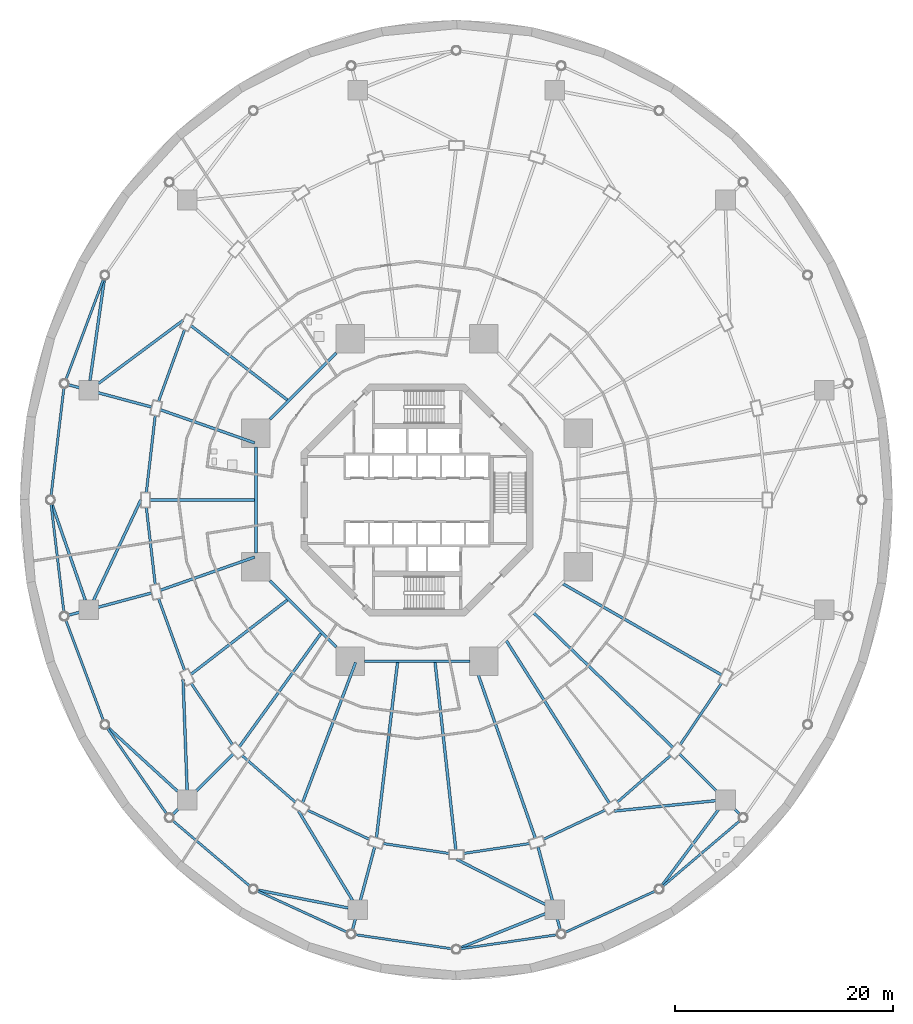
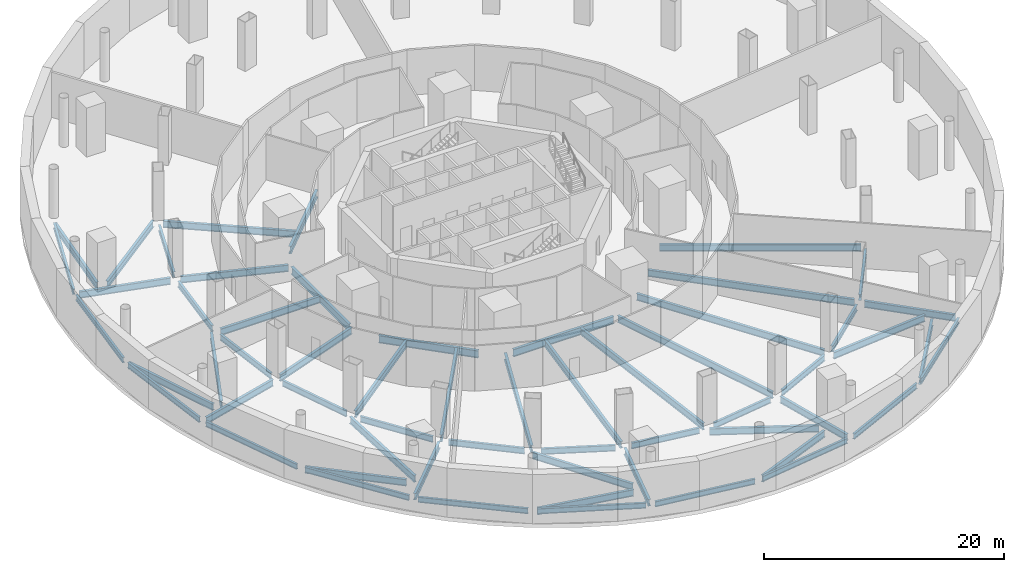
# One storey, part 3 of 14: 58 beams.
"""IFC4 building model written with IfcOpenShell, lengths in metres."""

from ifc_helpers import new_model, si_unit, direction, frame, origin, origin_2d, place, context, subcontext, project, spatial, i_section, extrude, material, material_profile, profile_set, type_object, element, save


model = new_model("IFC4")

# Units and contexts
model_context = context("Model", 3, precision=1e-05, world=origin(), true_north=direction((0.0, 1.0)))
body_context = subcontext(model_context, "Body", "Model", "MODEL_VIEW")
ifc_project = project(units=[si_unit("LENGTHUNIT", "METRE"), si_unit("AREAUNIT", "SQUARE_METRE"), si_unit("VOLUMEUNIT", "CUBIC_METRE"), si_unit("PLANEANGLEUNIT", "RADIAN"), si_unit("MASSUNIT", "GRAM", prefix="KILO")], contexts=[model_context])

# Site, building, storey
site_placement = place(None, origin())
site = spatial("IfcSite", under=ifc_project, at=site_placement, CompositionType="ELEMENT")
building_placement = place(site_placement, origin())
building = spatial("IfcBuilding", under=site, at=building_placement, Name="Nagisa Residences", CompositionType="ELEMENT")
storey_placement = place(building_placement, frame((0.0, 0.0, -5.0)))
storey = spatial("IfcBuildingStorey", under=building, at=storey_placement, Name="B1", CompositionType="ELEMENT", Elevation=-5.0)

# Beams
ifc_material_1 = material(Name="Steel ASTM A572 Gr 50", Category="steel")
ifc_material_profile_1 = material_profile(ifc_material_1, i_section(OverallWidth=0.2529296875, OverallDepth=0.677978515625, WebThickness=0.01171875, FlangeThickness=0.016357421875, at=origin_2d()), Name="W690x125")
ifc_profile_set_1 = profile_set([ifc_material_profile_1], Name="Steel ASTM A572 Gr 50")
beam_type_1 = type_object("IfcBeamType", Name="Atrium outer beam W690x125", PredefinedType="BEAM", material=ifc_profile_set_1)
beam_1_placement = place(storey_placement, frame((-21.45458984375, 16.46533203125, -0.739013671875), z_axis=(-0.801830772461, -0.597551179678, 0.0), x_axis=(0.597551179678, -0.801830772461, 0.0)))
element("IfcBeam", 1, at=beam_1_placement, inside=storey, type_object=beam_type_1, Name="beam:B1:er11a", PredefinedType="BEAM", context=body_context, shape_type="SweptSolid", body=[
    extrude(i_section(OverallWidth=0.2529296875, OverallDepth=0.677978515625, WebThickness=0.01171875, FlangeThickness=0.016357421875, at=origin_2d()), origin(), (0.0, 0.0, 1.0), 9.693603515625),
])
beam_2_placement = place(storey_placement, frame((-29.98583984375, 10.9482421875, -0.739013671875), z_axis=(0.140508564178, 0.990079463171, 0.0), x_axis=(-0.990079463171, 0.140508564178, 0.0)))
element("IfcBeam", 2, at=beam_2_placement, inside=storey, type_object=beam_type_1, Name="beam:B1:er11b", PredefinedType="BEAM", context=body_context, shape_type="SweptSolid", body=[
    extrude(i_section(OverallWidth=0.2529296875, OverallDepth=0.677978515625, WebThickness=0.01171875, FlangeThickness=0.016357421875, at=origin_2d()), origin(), (0.0, 0.0, 1.0), 9.36181640625),
])
beam_3_placement = place(storey_placement, frame((-24.344482421875, 8.52294921875, -0.739013671875), z_axis=(-0.965928422324, 0.258809356376, 0.0), x_axis=(-0.258809356376, -0.965928422324, 0.0)))
element("IfcBeam", 3, at=beam_3_placement, inside=storey, type_object=beam_type_1, Name="beam:B1:er12", PredefinedType="BEAM", context=body_context, shape_type="SweptSolid", body=[
    extrude(i_section(OverallWidth=0.2529296875, OverallDepth=0.677978515625, WebThickness=0.01171875, FlangeThickness=0.016357421875, at=origin_2d()), origin(), (0.0, 0.0, 1.0), 7.88330078125),
])
beam_4_placement = place(storey_placement, frame((-25.330078125, 0.0, -0.739013671875), z_axis=(-0.425917471077, -0.904762017235, 0.0), x_axis=(0.904762017235, -0.425917471077, 0.0)))
element("IfcBeam", 4, at=beam_4_placement, inside=storey, type_object=beam_type_1, Name="beam:B1:er13a", PredefinedType="BEAM", context=body_context, shape_type="SweptSolid", body=[
    extrude(i_section(OverallWidth=0.2529296875, OverallDepth=0.677978515625, WebThickness=0.01171875, FlangeThickness=0.016357421875, at=origin_2d()), origin(), (0.0, 0.0, 1.0), 10.15283203125),
])
beam_5_placement = place(storey_placement, frame((-30.416259765625, -9.18701171875, -0.739013671875), z_axis=(-0.327439256124, 0.944872231336, 0.0), x_axis=(-0.944872231336, -0.327439256124, 0.0)))
element("IfcBeam", 5, at=beam_5_placement, inside=storey, type_object=beam_type_1, Name="beam:B1:er13b", PredefinedType="BEAM", context=body_context, shape_type="SweptSolid", body=[
    extrude(i_section(OverallWidth=0.2529296875, OverallDepth=0.677978515625, WebThickness=0.01171875, FlangeThickness=0.016357421875, at=origin_2d()), origin(), (0.0, 0.0, 1.0), 9.33642578125),
])
beam_6_placement = place(storey_placement, frame((-24.344482421875, -8.52294921875, -0.739013671875), z_axis=(-0.965928422324, -0.258809356376, 0.0), x_axis=(0.258809356376, -0.965928422324, 0.0)))
element("IfcBeam", 6, at=beam_6_placement, inside=storey, type_object=beam_type_1, Name="beam:B1:er14", PredefinedType="BEAM", context=body_context, shape_type="SweptSolid", body=[
    extrude(i_section(OverallWidth=0.2529296875, OverallDepth=0.677978515625, WebThickness=0.01171875, FlangeThickness=0.016357421875, at=origin_2d()), origin(), (0.0, 0.0, 1.0), 7.88330078125),
])
beam_7_placement = place(storey_placement, frame((-21.45458984375, -16.46533203125, -0.739013671875), z_axis=(0.037000115753, -0.999315261284, 0.0), x_axis=(0.999315261284, 0.037000115753, 0.0)))
element("IfcBeam", 7, at=beam_7_placement, inside=storey, type_object=beam_type_1, Name="beam:B1:er15a", PredefinedType="BEAM", context=body_context, shape_type="SweptSolid", body=[
    extrude(i_section(OverallWidth=0.2529296875, OverallDepth=0.677978515625, WebThickness=0.01171875, FlangeThickness=0.016357421875, at=origin_2d()), origin(), (0.0, 0.0, 1.0), 10.168212890625),
])
beam_8_placement = place(storey_placement, frame((-21.96337890625, -26.6953125, -0.739013671875), z_axis=(-0.737316053277, 0.675547953576, 0.0), x_axis=(-0.675547953576, -0.737316053277, 0.0)))
element("IfcBeam", 8, at=beam_8_placement, inside=storey, type_object=beam_type_1, Name="beam:B1:er15b", PredefinedType="BEAM", context=body_context, shape_type="SweptSolid", body=[
    extrude(i_section(OverallWidth=0.2529296875, OverallDepth=0.677978515625, WebThickness=0.01171875, FlangeThickness=0.016357421875, at=origin_2d()), origin(), (0.0, 0.0, 1.0), 8.63623046875),
])
beam_9_placement = place(storey_placement, frame((-16.857177734375, -23.28564453125, -0.739013671875), z_axis=(-0.707106781187, -0.707106781187, 0.0), x_axis=(0.707106781187, -0.707106781187, 0.0)))
element("IfcBeam", 9, at=beam_9_placement, inside=storey, type_object=beam_type_1, Name="beam:B1:er16", PredefinedType="BEAM", context=body_context, shape_type="SweptSolid", body=[
    extrude(i_section(OverallWidth=0.2529296875, OverallDepth=0.677978515625, WebThickness=0.01171875, FlangeThickness=0.016357421875, at=origin_2d()), origin(), (0.0, 0.0, 1.0), 7.8828125),
])
beam_10_placement = place(storey_placement, frame((-10.865478515625, -28.518798828125, -0.739013671875), z_axis=(0.517608225474, -0.855617744628, 0.0), x_axis=(0.855617744628, 0.517608225474, 0.0)))
element("IfcBeam", 10, at=beam_10_placement, inside=storey, type_object=beam_type_1, Name="beam:B1:er17a", PredefinedType="BEAM", context=body_context, shape_type="SweptSolid", body=[
    extrude(i_section(OverallWidth=0.2529296875, OverallDepth=0.677978515625, WebThickness=0.01171875, FlangeThickness=0.016357421875, at=origin_2d()), origin(), (0.0, 0.0, 1.0), 9.55224609375),
])
beam_11_placement = place(storey_placement, frame((-6.313232421875, -37.400146484375, -0.739013671875), z_axis=(-0.980959139789, 0.194214227247, 0.0), x_axis=(-0.194214227247, -0.980959139789, 0.0)))
element("IfcBeam", 11, at=beam_11_placement, inside=storey, type_object=beam_type_1, Name="beam:B1:er17b", PredefinedType="BEAM", context=body_context, shape_type="SweptSolid", body=[
    extrude(i_section(OverallWidth=0.2529296875, OverallDepth=0.677978515625, WebThickness=0.01171875, FlangeThickness=0.016357421875, at=origin_2d()), origin(), (0.0, 0.0, 1.0), 8.46875),
])
beam_12_placement = place(storey_placement, frame((-3.8876953125, -31.80810546875, -0.739013671875), z_axis=(-0.258809356376, -0.965928422324, 0.0), x_axis=(0.965928422324, -0.258809356376, 0.0)))
element("IfcBeam", 12, at=beam_12_placement, inside=storey, type_object=beam_type_1, Name="beam:B1:er18", PredefinedType="BEAM", context=body_context, shape_type="SweptSolid", body=[
    extrude(i_section(OverallWidth=0.2529296875, OverallDepth=0.677978515625, WebThickness=0.01171875, FlangeThickness=0.016357421875, at=origin_2d()), origin(), (0.0, 0.0, 1.0), 7.88330078125),
])
beam_13_placement = place(storey_placement, frame((3.60009765625, -32.929931640625, -0.739013671875), z_axis=(0.891184504859, -0.453641023607, 0.0), x_axis=(0.453641023607, 0.891184504859, 0.0)))
element("IfcBeam", 13, at=beam_13_placement, inside=storey, type_object=beam_type_1, Name="beam:B1:er19a", PredefinedType="BEAM", context=body_context, shape_type="SweptSolid", body=[
    extrude(i_section(OverallWidth=0.2529296875, OverallDepth=0.677978515625, WebThickness=0.01171875, FlangeThickness=0.016357421875, at=origin_2d()), origin(), (0.0, 0.0, 1.0), 9.145263671875),
])
beam_14_placement = place(storey_placement, frame((11.75146484375, -37.92822265625, -0.739013671875), z_axis=(-0.928030882423, -0.372503263435, 0.0), x_axis=(0.372503263435, -0.928030882423, 0.0)))
element("IfcBeam", 14, at=beam_14_placement, inside=storey, type_object=beam_type_1, Name="beam:B1:er19b", PredefinedType="BEAM", context=body_context, shape_type="SweptSolid", body=[
    extrude(i_section(OverallWidth=0.2529296875, OverallDepth=0.677978515625, WebThickness=0.01171875, FlangeThickness=0.016357421875, at=origin_2d()), origin(), (0.0, 0.0, 1.0), 8.39697265625),
])
beam_15_placement = place(storey_placement, frame((11.087646484375, -31.80810546875, -0.739013671875), z_axis=(0.258809356376, -0.965928422324, 0.0), x_axis=(0.965928422324, 0.258809356376, 0.0)))
element("IfcBeam", 15, at=beam_15_placement, inside=storey, type_object=beam_type_1, Name="beam:B1:er20", PredefinedType="BEAM", context=body_context, shape_type="SweptSolid", body=[
    extrude(i_section(OverallWidth=0.2529296875, OverallDepth=0.677978515625, WebThickness=0.01171875, FlangeThickness=0.016357421875, at=origin_2d()), origin(), (0.0, 0.0, 1.0), 7.88330078125),
])
beam_16_placement = place(storey_placement, frame((18.0654296875, -28.518798828125, -0.739013671875), z_axis=(0.994767206706, 0.102167531354, 0.0), x_axis=(-0.102167531354, 0.994767206706, 0.0)))
element("IfcBeam", 16, at=beam_16_placement, inside=storey, type_object=beam_type_1, Name="beam:B1:er21a", PredefinedType="BEAM", context=body_context, shape_type="SweptSolid", body=[
    extrude(i_section(OverallWidth=0.2529296875, OverallDepth=0.677978515625, WebThickness=0.01171875, FlangeThickness=0.016357421875, at=origin_2d()), origin(), (0.0, 0.0, 1.0), 9.381591796875),
])
beam_17_placement = place(storey_placement, frame((27.62060546875, -28.390380859375, -0.739013671875), z_axis=(-0.596693960534, -0.802468888781, 0.0), x_axis=(0.802468888781, -0.596693960534, 0.0)))
element("IfcBeam", 17, at=beam_17_placement, inside=storey, type_object=beam_type_1, Name="beam:B1:er21b", PredefinedType="BEAM", context=body_context, shape_type="SweptSolid", body=[
    extrude(i_section(OverallWidth=0.2529296875, OverallDepth=0.677978515625, WebThickness=0.01171875, FlangeThickness=0.016357421875, at=origin_2d()), origin(), (0.0, 0.0, 1.0), 8.69775390625),
])
beam_18_placement = place(storey_placement, frame((24.057373046875, -23.28564453125, -0.739013671875), z_axis=(0.707091295005, -0.707122267029, 0.0), x_axis=(0.707122267029, 0.707091295005, 0.0)))
element("IfcBeam", 18, at=beam_18_placement, inside=storey, type_object=beam_type_1, Name="beam:B1:er22", PredefinedType="BEAM", context=body_context, shape_type="SweptSolid", body=[
    extrude(i_section(OverallWidth=0.2529296875, OverallDepth=0.677978515625, WebThickness=0.01171875, FlangeThickness=0.016357421875, at=origin_2d()), origin(), (0.0, 0.0, 1.0), 7.882568359375),
])
ifc_material_2 = material(Name="Steel ASTM A572 Gr 50", Category="steel")
ifc_material_profile_2 = material_profile(ifc_material_2, i_section(OverallWidth=0.214111328125, OverallDepth=0.549072265625, WebThickness=0.0146484375, FlangeThickness=0.023681640625, at=origin_2d()), Name="W530x138")
ifc_profile_set_2 = profile_set([ifc_material_profile_2], Name="Steel ASTM A572 Gr 50")
beam_type_2 = type_object("IfcBeamType", Name="Atrium ring beam W530x138", PredefinedType="BEAM", material=ifc_profile_set_2)
beam_19_placement = place(storey_placement, frame((-28.75146484375, 20.238037109375, -0.674560546875), z_axis=(-0.350304540877, -0.936635857012, 0.0), x_axis=(0.936635857012, -0.350304540877, 0.0)))
element("IfcBeam", 19, at=beam_19_placement, inside=storey, type_object=beam_type_2, Name="beam:B1:ab11", PredefinedType="BEAM", context=body_context, shape_type="SweptSolid", body=[
    extrude(i_section(OverallWidth=0.214111328125, OverallDepth=0.549072265625, WebThickness=0.0146484375, FlangeThickness=0.023681640625, at=origin_2d()), origin(), (0.0, 0.0, 1.0), 9.8359375),
])
for number, where, z_axis, x_axis, name in (
    (20, (-32.378173828125, 10.279541015625, -0.674560546875), (-0.118035165542, -0.993009415713, 0.0), (0.993009415713, -0.118035165542, 0.0), "beam:B1:ab12"),
    (21, (-33.554443359375, -0.3837890625, -0.674560546875), (0.118035165542, -0.993009415713, 0.0), (0.993009415713, 0.118035165542, 0.0), "beam:B1:ab13"),
):
    element("IfcBeam", number, at=place(storey_placement, frame(where, z_axis=z_axis, x_axis=x_axis)), inside=storey, type_object=beam_type_2, Name=name, PredefinedType="BEAM", context=body_context, shape_type="SweptSolid", body=[
        extrude(i_section(OverallWidth=0.214111328125, OverallDepth=0.549072265625, WebThickness=0.0146484375, FlangeThickness=0.023681640625, at=origin_2d()), origin(), (0.0, 0.0, 1.0), 9.96533203125),
    ])
beam_20_placement = place(storey_placement, frame((-32.197021484375, -11.025390625, -0.674560546875), z_axis=(0.350304540877, -0.936635857012, 0.0), x_axis=(0.936635857012, 0.350304540877, 0.0)))
element("IfcBeam", 22, at=beam_20_placement, inside=storey, type_object=beam_type_2, Name="beam:B1:ab14", PredefinedType="BEAM", context=body_context, shape_type="SweptSolid", body=[
    extrude(i_section(OverallWidth=0.214111328125, OverallDepth=0.549072265625, WebThickness=0.0146484375, FlangeThickness=0.023681640625, at=origin_2d()), origin(), (0.0, 0.0, 1.0), 9.8359375),
])
beam_21_placement = place(storey_placement, frame((-28.39599609375, -20.917724609375, -0.674560546875), z_axis=(0.569488756983, -0.821999121453, 0.0), x_axis=(0.821999121453, 0.569488756983, 0.0)))
element("IfcBeam", 23, at=beam_21_placement, inside=storey, type_object=beam_type_2, Name="beam:B1:ab15", PredefinedType="BEAM", context=body_context, shape_type="SweptSolid", body=[
    extrude(i_section(OverallWidth=0.214111328125, OverallDepth=0.549072265625, WebThickness=0.0146484375, FlangeThickness=0.023681640625, at=origin_2d()), origin(), (0.0, 0.0, 1.0), 9.607666015625),
])
beam_22_placement = place(storey_placement, frame((-22.409912109375, -29.383056640625, -0.674560546875), z_axis=(0.762007048716, -0.647568728173, 0.0), x_axis=(0.647568728173, 0.762007048716, 0.0)))
element("IfcBeam", 24, at=beam_22_placement, inside=storey, type_object=beam_type_2, Name="beam:B1:ab16", PredefinedType="BEAM", context=body_context, shape_type="SweptSolid", body=[
    extrude(i_section(OverallWidth=0.214111328125, OverallDepth=0.549072265625, WebThickness=0.0146484375, FlangeThickness=0.023681640625, at=origin_2d()), origin(), (0.0, 0.0, 1.0), 9.337890625),
])
beam_23_placement = place(storey_placement, frame((-14.648681640625, -35.84130859375, -0.674560546875), z_axis=(0.908914420706, -0.416982704477, 0.0), x_axis=(0.416982704477, 0.908914420706, 0.0)))
element("IfcBeam", 25, at=beam_23_placement, inside=storey, type_object=beam_type_2, Name="beam:B1:ab17", PredefinedType="BEAM", context=body_context, shape_type="SweptSolid", body=[
    extrude(i_section(OverallWidth=0.214111328125, OverallDepth=0.549072265625, WebThickness=0.0146484375, FlangeThickness=0.023681640625, at=origin_2d()), origin(), (0.0, 0.0, 1.0), 9.097900390625),
])
beam_24_placement = place(storey_placement, frame((-5.6455078125, -39.851806640625, -0.674560546875), z_axis=(0.989533710855, -0.144301888694, 0.0), x_axis=(0.144301888694, 0.989533710855, 0.0)))
element("IfcBeam", 26, at=beam_24_placement, inside=storey, type_object=beam_type_2, Name="beam:B1:ab18", PredefinedType="BEAM", context=body_context, shape_type="SweptSolid", body=[
    extrude(i_section(OverallWidth=0.214111328125, OverallDepth=0.549072265625, WebThickness=0.0146484375, FlangeThickness=0.023681640625, at=origin_2d()), origin(), (0.0, 0.0, 1.0), 8.956787109375),
])
beam_25_placement = place(storey_placement, frame((3.982421875, -41.144287109375, -0.674560546875), z_axis=(0.989534278419, 0.144297996638, 0.0), x_axis=(-0.144297996638, 0.989534278419, 0.0)))
element("IfcBeam", 27, at=beam_25_placement, inside=storey, type_object=beam_type_2, Name="beam:B1:ab19", PredefinedType="BEAM", context=body_context, shape_type="SweptSolid", body=[
    extrude(i_section(OverallWidth=0.214111328125, OverallDepth=0.549072265625, WebThickness=0.0146484375, FlangeThickness=0.023681640625, at=origin_2d()), origin(), (0.0, 0.0, 1.0), 8.95703125),
])
beam_26_placement = place(storey_placement, frame((13.579345703125, -39.635009765625, -0.674560546875), z_axis=(0.908914420706, 0.416982704477, 0.0), x_axis=(-0.416982704477, 0.908914420706, 0.0)))
element("IfcBeam", 28, at=beam_26_placement, inside=storey, type_object=beam_type_2, Name="beam:B1:ab20", PredefinedType="BEAM", context=body_context, shape_type="SweptSolid", body=[
    extrude(i_section(OverallWidth=0.214111328125, OverallDepth=0.549072265625, WebThickness=0.0146484375, FlangeThickness=0.023681640625, at=origin_2d()), origin(), (0.0, 0.0, 1.0), 9.097900390625),
])
beam_27_placement = place(storey_placement, frame((22.49462890625, -35.429931640625, -0.674560546875), z_axis=(0.761996084448, 0.647581629824, 0.0), x_axis=(-0.647581629824, 0.761996084448, 0.0)))
element("IfcBeam", 29, at=beam_27_placement, inside=storey, type_object=beam_type_2, Name="beam:B1:ab21", PredefinedType="BEAM", context=body_context, shape_type="SweptSolid", body=[
    extrude(i_section(OverallWidth=0.214111328125, OverallDepth=0.549072265625, WebThickness=0.0146484375, FlangeThickness=0.023681640625, at=origin_2d()), origin(), (0.0, 0.0, 1.0), 9.337646484375),
])
ifc_material_3 = material(Name="Steel ASTM A572 Gr 50", Category="steel")
ifc_material_profile_3 = material_profile(ifc_material_3, i_section(OverallWidth=0.264892578125, OverallDepth=0.7529296875, WebThickness=0.01318359375, FlangeThickness=0.01708984375, at=origin_2d()), Name="W760x147")
ifc_profile_set_3 = profile_set([ifc_material_profile_3], Name="Steel ASTM A572 Gr 50")
beam_type_3 = type_object("IfcBeamType", Name="Inner ring beam W760x147", PredefinedType="BEAM", material=ifc_profile_set_3)
beam_28_placement = place(storey_placement, frame((-7.40869140625, 13.49609375, -0.776611328125), z_axis=(-0.707106781187, -0.707106781187, 0.0), x_axis=(0.707106781187, -0.707106781187, 0.0)))
element("IfcBeam", 30, at=beam_28_placement, inside=storey, type_object=beam_type_3, Name="beam:B1:ib3", PredefinedType="BEAM", context=body_context, shape_type="SweptSolid", body=[
    extrude(i_section(OverallWidth=0.264892578125, OverallDepth=0.7529296875, WebThickness=0.01318359375, FlangeThickness=0.01708984375, at=origin_2d()), origin(), (0.0, 0.0, 1.0), 8.60888671875),
])
beam_29_placement = place(storey_placement, frame((-14.781982421875, 4.843017578125, -0.776611328125), z_axis=(0.0, -1.0, 0.0), x_axis=(1.0, 0.0, 0.0)))
element("IfcBeam", 31, at=beam_29_placement, inside=storey, type_object=beam_type_3, Name="beam:B1:ib4", PredefinedType="BEAM", context=body_context, shape_type="SweptSolid", body=[
    extrude(i_section(OverallWidth=0.264892578125, OverallDepth=0.7529296875, WebThickness=0.01318359375, FlangeThickness=0.01708984375, at=origin_2d()), origin(), (0.0, 0.0, 1.0), 9.68603515625),
])
beam_30_placement = place(storey_placement, frame((-13.49609375, -7.40869140625, -0.776611328125), z_axis=(0.707106781187, -0.707106781187, 0.0), x_axis=(0.707106781187, 0.707106781187, 0.0)))
element("IfcBeam", 32, at=beam_30_placement, inside=storey, type_object=beam_type_3, Name="beam:B1:ib5", PredefinedType="BEAM", context=body_context, shape_type="SweptSolid", body=[
    extrude(i_section(OverallWidth=0.264892578125, OverallDepth=0.7529296875, WebThickness=0.01318359375, FlangeThickness=0.01708984375, at=origin_2d()), origin(), (0.0, 0.0, 1.0), 8.60888671875),
])
beam_31_placement = place(storey_placement, frame((-4.843017578125, -14.781982421875, -0.776611328125), z_axis=(1.0, 0.0, 0.0), x_axis=(0.0, 1.0, 0.0)))
element("IfcBeam", 33, at=beam_31_placement, inside=storey, type_object=beam_type_3, Name="beam:B1:ib6", PredefinedType="BEAM", context=body_context, shape_type="SweptSolid", body=[
    extrude(i_section(OverallWidth=0.264892578125, OverallDepth=0.7529296875, WebThickness=0.01318359375, FlangeThickness=0.01708984375, at=origin_2d()), origin(), (0.0, 0.0, 1.0), 9.68603515625),
])
ifc_material_4 = material(Name="Steel ASTM A572 Gr 50", Category="steel")
ifc_material_profile_4 = material_profile(ifc_material_4, i_section(OverallWidth=0.22802734375, OverallDepth=0.60302734375, WebThickness=0.010498046875, FlangeThickness=0.014892578125, at=origin_2d()), Name="W610x101")
ifc_profile_set_4 = profile_set([ifc_material_profile_4], Name="Steel ASTM A572 Gr 50")
beam_type_4 = type_object("IfcBeamType", Name="Perimeter ring beam W610x101", PredefinedType="BEAM", material=ifc_profile_set_4)
beam_32_placement = place(storey_placement, frame((-21.315673828125, 15.60595703125, -0.701416015625), z_axis=(-0.341411143183, -0.939914055279, 0.0), x_axis=(0.939914055279, -0.341411143183, 0.0)))
element("IfcBeam", 34, at=beam_32_placement, inside=storey, type_object=beam_type_4, Name="beam:B1:pb11", PredefinedType="BEAM", context=body_context, shape_type="SweptSolid", body=[
    extrude(i_section(OverallWidth=0.22802734375, OverallDepth=0.60302734375, WebThickness=0.010498046875, FlangeThickness=0.014892578125, at=origin_2d()), origin(), (0.0, 0.0, 1.0), 6.96923828125),
])
for number, where, z_axis, x_axis, name in (
    (35, (-24.00732421875, 7.7314453125, -0.701416015625), (-0.114707660057, -0.993399291687, 0.0), (0.993399291687, -0.114707660057, 0.0), "beam:B1:pb12"),
    (36, (-24.821533203125, -0.68017578125, -0.701416015625), (0.114707660057, -0.993399291687, 0.0), (0.993399291687, 0.114707660057, 0.0), "beam:B1:pb13"),
):
    element("IfcBeam", number, at=place(storey_placement, frame(where, z_axis=z_axis, x_axis=x_axis)), inside=storey, type_object=beam_type_4, Name=name, PredefinedType="BEAM", context=body_context, shape_type="SweptSolid", body=[
        extrude(i_section(OverallWidth=0.22802734375, OverallDepth=0.60302734375, WebThickness=0.010498046875, FlangeThickness=0.014892578125, at=origin_2d()), origin(), (0.0, 0.0, 1.0), 7.09814453125),
    ])
beam_33_placement = place(storey_placement, frame((-23.695068359375, -9.055419921875, -0.701416015625), z_axis=(0.341411143183, -0.939914055279, 0.0), x_axis=(0.939914055279, 0.341411143183, 0.0)))
element("IfcBeam", 37, at=beam_33_placement, inside=storey, type_object=beam_type_4, Name="beam:B1:pb14", PredefinedType="BEAM", context=body_context, shape_type="SweptSolid", body=[
    extrude(i_section(OverallWidth=0.22802734375, OverallDepth=0.60302734375, WebThickness=0.010498046875, FlangeThickness=0.014892578125, at=origin_2d()), origin(), (0.0, 0.0, 1.0), 6.96923828125),
])
beam_34_placement = place(storey_placement, frame((-20.69921875, -16.818603515625, -0.701416015625), z_axis=(0.558296806041, -0.829641293792, 0.0), x_axis=(0.829641293792, 0.558296806041, 0.0)))
element("IfcBeam", 38, at=beam_34_placement, inside=storey, type_object=beam_type_4, Name="beam:B1:pb15", PredefinedType="BEAM", context=body_context, shape_type="SweptSolid", body=[
    extrude(i_section(OverallWidth=0.22802734375, OverallDepth=0.60302734375, WebThickness=0.010498046875, FlangeThickness=0.014892578125, at=origin_2d()), origin(), (0.0, 0.0, 1.0), 6.74169921875),
])
beam_35_placement = place(storey_placement, frame((-16.0361328125, -23.432861328125, -0.701416015625), z_axis=(0.752574357292, -0.658507279191, 0.0), x_axis=(0.658507279191, 0.752574357292, 0.0)))
element("IfcBeam", 39, at=beam_35_placement, inside=storey, type_object=beam_type_4, Name="beam:B1:pb16", PredefinedType="BEAM", context=body_context, shape_type="SweptSolid", body=[
    extrude(i_section(OverallWidth=0.22802734375, OverallDepth=0.60302734375, WebThickness=0.010498046875, FlangeThickness=0.014892578125, at=origin_2d()), origin(), (0.0, 0.0, 1.0), 6.47021484375),
])
beam_36_placement = place(storey_placement, frame((-10.02880859375, -28.439208984375, -0.701416015625), z_axis=(0.904208275867, -0.427091786216, 0.0), x_axis=(0.427091786216, 0.904208275867, 0.0)))
element("IfcBeam", 40, at=beam_36_placement, inside=storey, type_object=beam_type_4, Name="beam:B1:pb17", PredefinedType="BEAM", context=body_context, shape_type="SweptSolid", body=[
    extrude(i_section(OverallWidth=0.22802734375, OverallDepth=0.60302734375, WebThickness=0.010498046875, FlangeThickness=0.014892578125, at=origin_2d()), origin(), (0.0, 0.0, 1.0), 6.227294921875),
])
for number, where, z_axis, x_axis, name in (
    (41, (-3.096435546875, -31.49462890625, -0.701416015625), (0.988914559467, -0.14848566959, 0.0), (0.14848566959, 0.988914559467, 0.0), "beam:B1:pb18"),
    (42, (4.2802734375, -32.39794921875, -0.701416015625), (0.988914559467, 0.14848566959, 0.0), (-0.14848566959, 0.988914559467, 0.0), "beam:B1:pb19"),
):
    element("IfcBeam", number, at=place(storey_placement, frame(where, z_axis=z_axis, x_axis=x_axis)), inside=storey, type_object=beam_type_4, Name=name, PredefinedType="BEAM", context=body_context, shape_type="SweptSolid", body=[
        extrude(i_section(OverallWidth=0.22802734375, OverallDepth=0.60302734375, WebThickness=0.010498046875, FlangeThickness=0.014892578125, at=origin_2d()), origin(), (0.0, 0.0, 1.0), 6.08349609375),
    ])
beam_37_placement = place(storey_placement, frame((11.597900390625, -31.098876953125, -0.701416015625), z_axis=(0.904215426643, 0.427076646774, 0.0), x_axis=(-0.427076646774, 0.904215426643, 0.0)))
element("IfcBeam", 43, at=beam_37_placement, inside=storey, type_object=beam_type_4, Name="beam:B1:pb20", PredefinedType="BEAM", context=body_context, shape_type="SweptSolid", body=[
    extrude(i_section(OverallWidth=0.22802734375, OverallDepth=0.60302734375, WebThickness=0.010498046875, FlangeThickness=0.014892578125, at=origin_2d()), origin(), (0.0, 0.0, 1.0), 6.2275390625),
])
beam_38_placement = place(storey_placement, frame((18.36669921875, -27.693603515625, -0.701416015625), z_axis=(0.7525907186, 0.658488580217, 0.0), x_axis=(-0.658488580217, 0.7525907186, 0.0)))
element("IfcBeam", 44, at=beam_38_placement, inside=storey, type_object=beam_type_4, Name="beam:B1:pb21", PredefinedType="BEAM", context=body_context, shape_type="SweptSolid", body=[
    extrude(i_section(OverallWidth=0.22802734375, OverallDepth=0.60302734375, WebThickness=0.010498046875, FlangeThickness=0.014892578125, at=origin_2d()), origin(), (0.0, 0.0, 1.0), 6.470458984375),
])
beam_39_placement = place(storey_placement, frame((24.135498046875, -22.411865234375, -0.701416015625), z_axis=(0.558271879663, 0.829658067144, 0.0), x_axis=(-0.829658067144, 0.558271879663, 0.0)))
element("IfcBeam", 45, at=beam_39_placement, inside=storey, type_object=beam_type_4, Name="beam:B1:pb22", PredefinedType="BEAM", context=body_context, shape_type="SweptSolid", body=[
    extrude(i_section(OverallWidth=0.22802734375, OverallDepth=0.60302734375, WebThickness=0.010498046875, FlangeThickness=0.014892578125, at=origin_2d()), origin(), (0.0, 0.0, 1.0), 6.74169921875),
])
ifc_material_5 = material(Name="Steel ASTM A572 Gr 50", Category="steel")
ifc_material_profile_5 = material_profile(ifc_material_5, i_section(OverallWidth=0.25390625, OverallDepth=0.68408203125, WebThickness=0.012451171875, FlangeThickness=0.018798828125, at=origin_2d()), Name="W690x140")
ifc_profile_set_5 = profile_set([ifc_material_profile_5], Name="Steel ASTM A572 Gr 50")
beam_type_5 = type_object("IfcBeamType", Name="Radial beam W690x140", PredefinedType="BEAM", material=ifc_profile_set_5)
beam_40_placement = place(storey_placement, frame((-20.73486328125, 15.982666015625, -0.741943359375), z_axis=(0.792016146736, -0.610500141941, 0.0), x_axis=(0.610500141941, 0.792016146736, 0.0)))
element("IfcBeam", 46, at=beam_40_placement, inside=storey, type_object=beam_type_5, Name="beam:B1:rb11", PredefinedType="BEAM", context=body_context, shape_type="SweptSolid", body=[
    extrude(i_section(OverallWidth=0.25390625, OverallDepth=0.68408203125, WebThickness=0.012451171875, FlangeThickness=0.018798828125, at=origin_2d()), origin(), (0.0, 0.0, 1.0), 11.160888671875),
])
beam_41_placement = place(storey_placement, frame((-23.520751953125, 8.26806640625, -0.741943359375), z_axis=(0.943414535235, -0.331615763659, 0.0), x_axis=(0.331615763659, 0.943414535235, 0.0)))
element("IfcBeam", 47, at=beam_41_placement, inside=storey, type_object=beam_type_5, Name="beam:B1:rb12", PredefinedType="BEAM", context=body_context, shape_type="SweptSolid", body=[
    extrude(i_section(OverallWidth=0.25390625, OverallDepth=0.68408203125, WebThickness=0.012451171875, FlangeThickness=0.018798828125, at=origin_2d()), origin(), (0.0, 0.0, 1.0), 9.142333984375),
])
beam_42_placement = place(storey_placement, frame((-24.469970703125, 0.0, -0.741943359375), z_axis=(1.0, 0.0, 0.0), x_axis=(0.0, 1.0, 0.0)))
element("IfcBeam", 48, at=beam_42_placement, inside=storey, type_object=beam_type_5, Name="beam:B1:rb13", PredefinedType="BEAM", context=body_context, shape_type="SweptSolid", body=[
    extrude(i_section(OverallWidth=0.25390625, OverallDepth=0.68408203125, WebThickness=0.012451171875, FlangeThickness=0.018798828125, at=origin_2d()), origin(), (0.0, 0.0, 1.0), 9.575439453125),
])
beam_43_placement = place(storey_placement, frame((-23.520751953125, -8.26806640625, -0.741943359375), z_axis=(0.943414535235, 0.331615763659, 0.0), x_axis=(-0.331615763659, 0.943414535235, 0.0)))
element("IfcBeam", 49, at=beam_43_placement, inside=storey, type_object=beam_type_5, Name="beam:B1:rb14", PredefinedType="BEAM", context=body_context, shape_type="SweptSolid", body=[
    extrude(i_section(OverallWidth=0.25390625, OverallDepth=0.68408203125, WebThickness=0.012451171875, FlangeThickness=0.018798828125, at=origin_2d()), origin(), (0.0, 0.0, 1.0), 9.142333984375),
])
beam_44_placement = place(storey_placement, frame((-20.73486328125, -15.982666015625, -0.741943359375), z_axis=(0.792016146736, 0.610500141941, 0.0), x_axis=(-0.610500141941, 0.792016146736, 0.0)))
element("IfcBeam", 50, at=beam_44_placement, inside=storey, type_object=beam_type_5, Name="beam:B1:rb15", PredefinedType="BEAM", context=body_context, shape_type="SweptSolid", body=[
    extrude(i_section(OverallWidth=0.25390625, OverallDepth=0.68408203125, WebThickness=0.012451171875, FlangeThickness=0.018798828125, at=origin_2d()), origin(), (0.0, 0.0, 1.0), 11.160888671875),
])
beam_45_placement = place(storey_placement, frame((-16.29443359375, -22.62255859375, -0.741943359375), z_axis=(0.58445507622, 0.811426068031, 0.0), x_axis=(-0.811426068031, 0.58445507622, 0.0)))
element("IfcBeam", 51, at=beam_45_placement, inside=storey, type_object=beam_type_5, Name="beam:B1:rb16", PredefinedType="BEAM", context=body_context, shape_type="SweptSolid", body=[
    extrude(i_section(OverallWidth=0.25390625, OverallDepth=0.68408203125, WebThickness=0.012451171875, FlangeThickness=0.018798828125, at=origin_2d()), origin(), (0.0, 0.0, 1.0), 12.78955078125),
])
beam_46_placement = place(storey_placement, frame((-10.493896484375, -27.7333984375, -0.741943359375), z_axis=(0.353887892206, 0.935287848606, 0.0), x_axis=(-0.935287848606, 0.353887892206, 0.0)))
element("IfcBeam", 52, at=beam_46_placement, inside=storey, type_object=beam_type_5, Name="beam:B1:rb17", PredefinedType="BEAM", context=body_context, shape_type="SweptSolid", body=[
    extrude(i_section(OverallWidth=0.25390625, OverallDepth=0.68408203125, WebThickness=0.012451171875, FlangeThickness=0.018798828125, at=origin_2d()), origin(), (0.0, 0.0, 1.0), 13.725830078125),
])
beam_47_placement = place(storey_placement, frame((-3.72412109375, -30.958740234375, -0.741943359375), z_axis=(0.119431411612, 0.992842453726, 0.0), x_axis=(-0.992842453726, 0.119431411612, 0.0)))
element("IfcBeam", 53, at=beam_47_placement, inside=storey, type_object=beam_type_5, Name="beam:B1:rb18", PredefinedType="BEAM", context=body_context, shape_type="SweptSolid", body=[
    extrude(i_section(OverallWidth=0.25390625, OverallDepth=0.68408203125, WebThickness=0.012451171875, FlangeThickness=0.018798828125, at=origin_2d()), origin(), (0.0, 0.0, 1.0), 16.1796875),
])
beam_48_placement = place(storey_placement, frame((3.55224609375, -32.06982421875, -0.741943359375), z_axis=(-0.110088818647, 0.993921753464, 0.0), x_axis=(-0.993921753464, -0.110088818647, 0.0)))
element("IfcBeam", 54, at=beam_48_placement, inside=storey, type_object=beam_type_5, Name="beam:B1:rb19", PredefinedType="BEAM", context=body_context, shape_type="SweptSolid", body=[
    extrude(i_section(OverallWidth=0.25390625, OverallDepth=0.68408203125, WebThickness=0.012451171875, FlangeThickness=0.018798828125, at=origin_2d()), origin(), (0.0, 0.0, 1.0), 17.280029296875),
])
beam_49_placement = place(storey_placement, frame((10.834228515625, -30.986328125, -0.741943359375), z_axis=(-0.330051195485, 0.943963033364, 0.0), x_axis=(-0.943963033364, -0.330051195485, 0.0)))
element("IfcBeam", 55, at=beam_49_placement, inside=storey, type_object=beam_type_5, Name="beam:B1:rb20", PredefinedType="BEAM", context=body_context, shape_type="SweptSolid", body=[
    extrude(i_section(OverallWidth=0.25390625, OverallDepth=0.68408203125, WebThickness=0.012451171875, FlangeThickness=0.018798828125, at=origin_2d()), origin(), (0.0, 0.0, 1.0), 17.045654296875),
])
beam_50_placement = place(storey_placement, frame((17.61962890625, -27.78271484375, -0.741943359375), z_axis=(-0.53556610664, 0.844493306911, 0.0), x_axis=(-0.844493306911, -0.53556610664, 0.0)))
element("IfcBeam", 56, at=beam_50_placement, inside=storey, type_object=beam_type_5, Name="beam:B1:rb21", PredefinedType="BEAM", context=body_context, shape_type="SweptSolid", body=[
    extrude(i_section(OverallWidth=0.25390625, OverallDepth=0.68408203125, WebThickness=0.012451171875, FlangeThickness=0.018798828125, at=origin_2d()), origin(), (0.0, 0.0, 1.0), 17.63525390625),
])
beam_51_placement = place(storey_placement, frame((23.443115234375, -22.681640625, -0.741943359375), z_axis=(-0.718678305776, 0.695342716081, 0.0), x_axis=(-0.695342716081, -0.718678305776, 0.0)))
element("IfcBeam", 57, at=beam_51_placement, inside=storey, type_object=beam_type_5, Name="beam:B1:rb22", PredefinedType="BEAM", context=body_context, shape_type="SweptSolid", body=[
    extrude(i_section(OverallWidth=0.25390625, OverallDepth=0.68408203125, WebThickness=0.012451171875, FlangeThickness=0.018798828125, at=origin_2d()), origin(), (0.0, 0.0, 1.0), 17.722900390625),
])
beam_52_placement = place(storey_placement, frame((27.908447265625, -16.035400390625, -0.741943359375), z_axis=(-0.867068052258, 0.498189715623, 0.0), x_axis=(-0.498189715623, -0.867068052258, 0.0)))
element("IfcBeam", 58, at=beam_52_placement, inside=storey, type_object=beam_type_5, Name="beam:B1:rb23", PredefinedType="BEAM", context=body_context, shape_type="SweptSolid", body=[
    extrude(i_section(OverallWidth=0.25390625, OverallDepth=0.68408203125, WebThickness=0.012451171875, FlangeThickness=0.018798828125, at=origin_2d()), origin(), (0.0, 0.0, 1.0), 16.758056640625),
])

save(model, "model.ifc")
